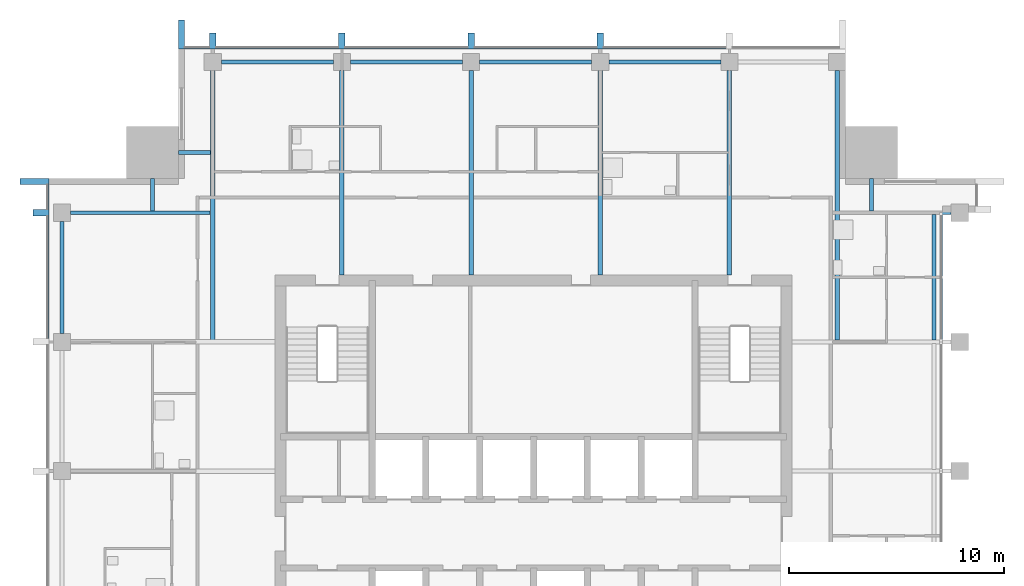
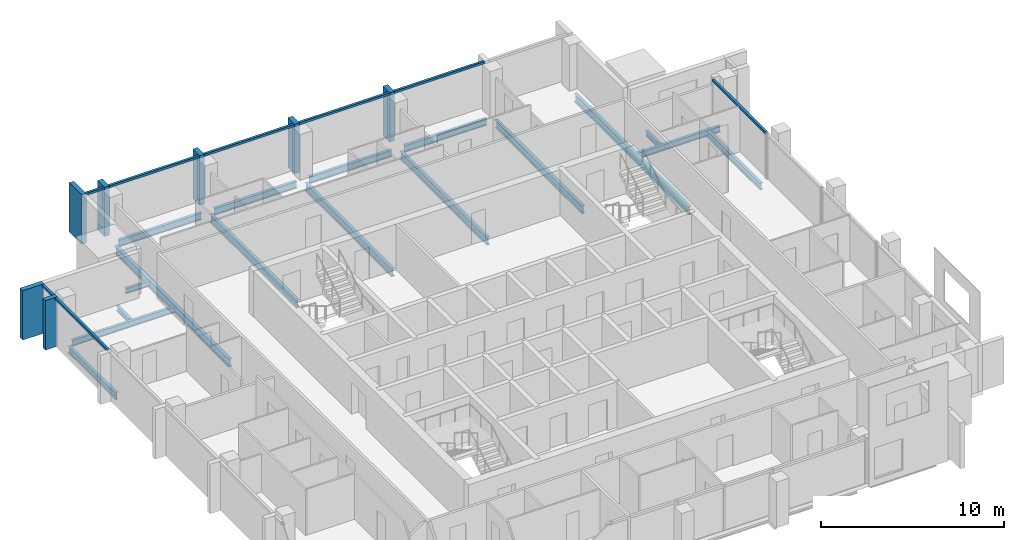
# One storey, part 4 of 13: 17 beams, 15 members, 3 elements without a shape of their own.
"""IFC4 building model written with IfcOpenShell, lengths in metres."""

from ifc_helpers import new_model, si_unit, direction, frame, origin, origin_2d, place, context, subcontext, project, spatial, rectangle, i_section, extrude, material, material_profile, profile_set, type_object, element, aggregate, save


model = new_model("IFC4")

# Units and contexts
model_context = context("Model", 3, precision=1e-05, world=origin(), true_north=direction((0.0, 1.0)))
body_context = subcontext(model_context, "Body", "Model", "MODEL_VIEW")
ifc_project = project(units=[si_unit("LENGTHUNIT", "METRE"), si_unit("AREAUNIT", "SQUARE_METRE"), si_unit("VOLUMEUNIT", "CUBIC_METRE"), si_unit("PLANEANGLEUNIT", "RADIAN"), si_unit("MASSUNIT", "GRAM", prefix="KILO")], contexts=[model_context])

# Site, building, storey
site_placement = place(None, origin())
site = spatial("IfcSite", under=ifc_project, at=site_placement, CompositionType="ELEMENT")
building_placement = place(site_placement, origin())
building = spatial("IfcBuilding", under=site, at=building_placement, Name="Amberfall Residences", CompositionType="ELEMENT")
storey_placement = place(building_placement, frame((0.0, 0.0, 271.89990234375)))
storey = spatial("IfcBuildingStorey", under=building, at=storey_placement, Name="L73", CompositionType="ELEMENT", Elevation=271.89990234375)

# Curtain wall, members
ifc_material_1 = material(Name="Bronze anodised aluminium and glass", Category="aluminium")
curtain_wall_type_1 = type_object("IfcCurtainWallType", Name="Curtain wall CW1 tower unit", PredefinedType="USERDEFINED", material=ifc_material_1)
curtain_wall_1_placement = place(storey_placement, origin())
curtain_wall_1 = element("IfcCurtainWall", 1, at=curtain_wall_1_placement, inside=storey, type_object=curtain_wall_type_1, Name="Curtain wall L73 N N1", ObjectType="UNITISED CURTAIN WALL", PredefinedType="USERDEFINED")
ifc_material_2 = material(Name="Bronze anodised aluminium", Category="aluminium")
ifc_material_profile_1 = material_profile(ifc_material_2, rectangle(XDim=0.14990234375, YDim=0.14990234375, at=origin_2d()), Name="CW1 transom 150 x 150 bronze")
ifc_profile_set_1 = profile_set([ifc_material_profile_1], Name="Bronze anodised aluminium")
member_type_1 = type_object("IfcMemberType", Name="CW1 transom 150 x 150 bronze", PredefinedType="USERDEFINED", material=ifc_profile_set_1)
member_1_placement = place(storey_placement, frame((83.449951171875, 68.074951171875, 2.97509765625), z_axis=(-1.0, 0.0, 0.0), x_axis=(0.0, -1.0, 0.0)))
member_1 = element("IfcMember", 2, at=member_1_placement, type_object=member_type_1, Name="CW1 transom 2.1", ObjectType="TRANSOM", PredefinedType="USERDEFINED", context=body_context, shape_type="SweptSolid", body=[
    extrude(rectangle(XDim=0.14990234375, YDim=0.14990234375, at=origin_2d()), origin(), (0.0, 0.0, 1.0), 5.699951171875),
])
member_2_placement = place(storey_placement, frame((77.449951171875, 68.074951171875, 2.97509765625), z_axis=(-1.0, 0.0, 0.0), x_axis=(0.0, -1.0, 0.0)))
member_2 = element("IfcMember", 3, at=member_2_placement, type_object=member_type_1, Name="CW1 transom 3.1", ObjectType="TRANSOM", PredefinedType="USERDEFINED", context=body_context, shape_type="SweptSolid", body=[
    extrude(rectangle(XDim=0.14990234375, YDim=0.14990234375, at=origin_2d()), origin(), (0.0, 0.0, 1.0), 5.699951171875),
])
member_3_placement = place(storey_placement, frame((71.449951171875, 68.074951171875, 2.97509765625), z_axis=(-1.0, 0.0, 0.0), x_axis=(0.0, -1.0, 0.0)))
member_3 = element("IfcMember", 4, at=member_3_placement, type_object=member_type_1, Name="CW1 transom 4.1", ObjectType="TRANSOM", PredefinedType="USERDEFINED", context=body_context, shape_type="SweptSolid", body=[
    extrude(rectangle(XDim=0.14990234375, YDim=0.14990234375, at=origin_2d()), origin(), (0.0, 0.0, 1.0), 5.699951171875),
])
member_4_placement = place(storey_placement, frame((65.449951171875, 68.074951171875, 2.97509765625), z_axis=(-1.0, 0.0, 0.0), x_axis=(0.0, -1.0, 0.0)))
member_4 = element("IfcMember", 5, at=member_4_placement, type_object=member_type_1, Name="CW1 transom 5.1", ObjectType="TRANSOM", PredefinedType="USERDEFINED", context=body_context, shape_type="SweptSolid", body=[
    extrude(rectangle(XDim=0.14990234375, YDim=0.14990234375, at=origin_2d()), origin(), (0.0, 0.0, 1.0), 5.699951171875),
])
member_5_placement = place(storey_placement, frame((59.449951171875, 68.074951171875, 2.97509765625), z_axis=(-1.0, 0.0, 0.0), x_axis=(0.0, -1.0, 0.0)))
member_5 = element("IfcMember", 6, at=member_5_placement, type_object=member_type_1, Name="CW1 transom 6.1", ObjectType="TRANSOM", PredefinedType="USERDEFINED", context=body_context, shape_type="SweptSolid", body=[
    extrude(rectangle(XDim=0.14990234375, YDim=0.14990234375, at=origin_2d()), origin(), (0.0, 0.0, 1.0), 1.14990234375),
])

curtain_wall_2_placement = place(storey_placement, origin())
curtain_wall_2 = element("IfcCurtainWall", 7, at=curtain_wall_2_placement, inside=storey, type_object=curtain_wall_type_1, Name="Curtain wall L73 W W1", ObjectType="UNITISED CURTAIN WALL", PredefinedType="USERDEFINED")
member_6_placement = place(storey_placement, frame((51.925048828125, 61.699951171875, 2.97509765625), z_axis=(0.0, -1.0, 0.0), x_axis=(1.0, 0.0, 0.0)))
member_6 = element("IfcMember", 8, at=member_6_placement, type_object=member_type_1, Name="CW1 transom 1.1", ObjectType="TRANSOM", PredefinedType="USERDEFINED", context=body_context, shape_type="SweptSolid", body=[
    extrude(rectangle(XDim=0.14990234375, YDim=0.14990234375, at=origin_2d()), origin(), (0.0, 0.0, 1.0), 1.14990234375),
])
member_7_placement = place(storey_placement, frame((51.925048828125, 60.25, 2.97509765625), z_axis=(0.0, -1.0, 0.0), x_axis=(1.0, 0.0, 0.0)))
member_7 = element("IfcMember", 9, at=member_7_placement, type_object=member_type_1, Name="CW1 transom 2.1", ObjectType="TRANSOM", PredefinedType="USERDEFINED", context=body_context, shape_type="SweptSolid", body=[
    extrude(rectangle(XDim=0.14990234375, YDim=0.14990234375, at=origin_2d()), origin(), (0.0, 0.0, 1.0), 5.699951171875),
])

# Curtain wall, member
curtain_wall_type_2 = type_object("IfcCurtainWallType", Name="Curtain wall CW3 sky garden glazing", PredefinedType="USERDEFINED", material=ifc_material_1)
curtain_wall_3_placement = place(storey_placement, origin())
curtain_wall_3 = element("IfcCurtainWall", 10, at=curtain_wall_3_placement, inside=storey, type_object=curtain_wall_type_2, Name="Curtain wall L73 E E5", ObjectType="UNITISED CURTAIN WALL", PredefinedType="USERDEFINED")
ifc_material_profile_2 = material_profile(ifc_material_2, rectangle(XDim=0.14990234375, YDim=0.14990234375, at=origin_2d()), Name="CW3 transom 150 x 150 bronze")
ifc_profile_set_2 = profile_set([ifc_material_profile_2], Name="Bronze anodised aluminium")
member_type_2 = type_object("IfcMemberType", Name="CW3 transom 150 x 150 bronze", PredefinedType="USERDEFINED", material=ifc_profile_set_2)
member_8_placement = place(storey_placement, frame((93.425048828125, 54.5, 2.97509765625), z_axis=(0.0, 1.0, 0.0), x_axis=(-1.0, 0.0, 0.0)))
member_8 = element("IfcMember", 11, at=member_8_placement, type_object=member_type_2, Name="CW3 transom 1.1", ObjectType="TRANSOM", PredefinedType="USERDEFINED", context=body_context, shape_type="SweptSolid", body=[
    extrude(rectangle(XDim=0.14990234375, YDim=0.14990234375, at=origin_2d()), origin(), (0.0, 0.0, 1.0), 5.800048828125),
])
aggregate(curtain_wall_3, [member_8])

# Member
ifc_material_profile_3 = material_profile(ifc_material_2, rectangle(XDim=1.35009765625, YDim=0.300048828125, at=origin_2d()), Name="Corner fin 300 x 1350 bronze")
ifc_profile_set_3 = profile_set([ifc_material_profile_3], Name="Bronze anodised aluminium")
member_type_3 = type_object("IfcMemberType", Name="Corner fin 300 x 1350 bronze", PredefinedType="MULLION", material=ifc_profile_set_3)
member_9_placement = place(storey_placement, frame((58.14990234375, 68.675048828125, -0.25), z_axis=(0.0, 0.0, 1.0), x_axis=(0.0, -1.0, 0.0)))
member_9 = element("IfcMember", 12, at=member_9_placement, type_object=member_type_3, Name="CW FIN 7", PredefinedType="MULLION", context=body_context, shape_type="SweptSolid", body=[
    extrude(rectangle(XDim=1.35009765625, YDim=0.300048828125, at=origin_2d()), origin(), (0.0, 0.0, 1.0), 3.300048828125),
])

member_10_placement = place(storey_placement, frame((51.324951171875, 61.85009765625, -0.25), z_axis=(0.0, 0.0, 1.0), x_axis=(1.0, 0.0, 0.0)))
member_10 = element("IfcMember", 13, at=member_10_placement, type_object=member_type_3, Name="CW FIN 1", PredefinedType="MULLION", context=body_context, shape_type="SweptSolid", body=[
    extrude(rectangle(XDim=1.35009765625, YDim=0.300048828125, at=origin_2d()), origin(), (0.0, 0.0, 1.0), 3.300048828125),
])

# Beams
ifc_material_3 = material(Name="Steel S355", Category="steel")
ifc_material_profile_4 = material_profile(ifc_material_3, i_section(OverallWidth=0.18994140625, OverallDepth=0.453369140625, WebThickness=0.008544921875, FlangeThickness=0.0126953125, FilletRadius=0.01025390625, at=origin_2d()), Name="UB 457x191x67")
ifc_profile_set_4 = profile_set([ifc_material_profile_4], Name="Steel S355")
beam_type_1 = type_object("IfcBeamType", Name="Edge beam UB 457x191x67", PredefinedType="SPANDREL", material=ifc_profile_set_4)
beam_1_placement = place(storey_placement, frame((93.10009765625, 54.47998046875, -0.4765625), z_axis=(0.0, 1.0, 0.0), x_axis=(-1.0, 0.0, 0.0)))
element("IfcBeam", 14, at=beam_1_placement, inside=storey, type_object=beam_type_1, Name="Edge beam B1 L73 16", PredefinedType="SPANDREL", context=body_context, shape_type="SweptSolid", body=[
    extrude(i_section(OverallWidth=0.18994140625, OverallDepth=0.453369140625, WebThickness=0.008544921875, FlangeThickness=0.0126953125, FilletRadius=0.01025390625, at=origin_2d()), origin(), (0.0, 0.0, 1.0), 5.840087890625),
])
for number, where, z_axis, x_axis, name in (
    (15, (60.0, 67.39990234375, -0.4765625), (1.0, 0.0, 0.0), (0.0, 1.0, 0.0), "Edge beam B1 L73 23"),
    (16, (66.0, 67.39990234375, -0.4765625), (1.0, 0.0, 0.0), (0.0, 1.0, 0.0), "Edge beam B1 L73 24"),
    (17, (72.0, 67.39990234375, -0.4765625), (1.0, 0.0, 0.0), (0.0, 1.0, 0.0), "Edge beam B1 L73 25"),
    (18, (78.0, 67.39990234375, -0.4765625), (1.0, 0.0, 0.0), (0.0, 1.0, 0.0), "Edge beam B1 L73 26"),
    (19, (52.60009765625, 54.800048828125, -0.4765625), (0.0, 1.0, 0.0), (-1.0, 0.0, 0.0), "Edge beam B1 L73 38"),
):
    element("IfcBeam", number, at=place(storey_placement, frame(where, z_axis=z_axis, x_axis=x_axis)), inside=storey, type_object=beam_type_1, Name=name, PredefinedType="SPANDREL", context=body_context, shape_type="SweptSolid", body=[
        extrude(i_section(OverallWidth=0.18994140625, OverallDepth=0.453369140625, WebThickness=0.008544921875, FlangeThickness=0.0126953125, FilletRadius=0.01025390625, at=origin_2d()), origin(), (0.0, 0.0, 1.0), 5.199951171875),
    ])

# Member
ifc_material_profile_5 = material_profile(ifc_material_2, rectangle(XDim=0.75, YDim=0.300048828125, at=origin_2d()), Name="Fin 300 x 750 bronze")
ifc_profile_set_5 = profile_set([ifc_material_profile_5], Name="Bronze anodised aluminium")
member_type_4 = type_object("IfcMemberType", Name="Fin 300 x 750 bronze", PredefinedType="MULLION", material=ifc_profile_set_5)
member_11_placement = place(storey_placement, frame((77.60009765625, 68.375, -0.25), z_axis=(0.0, 0.0, 1.0), x_axis=(0.0, -1.0, 0.0)))
member_11 = element("IfcMember", 20, at=member_11_placement, type_object=member_type_4, Name="CW FIN 3", PredefinedType="MULLION", context=body_context, shape_type="SweptSolid", body=[
    extrude(rectangle(XDim=0.75, YDim=0.300048828125, at=origin_2d()), origin(), (0.0, 0.0, 1.0), 3.300048828125),
])

member_12_placement = place(storey_placement, frame((71.60009765625, 68.375, -0.25), z_axis=(0.0, 0.0, 1.0), x_axis=(0.0, -1.0, 0.0)))
member_12 = element("IfcMember", 21, at=member_12_placement, type_object=member_type_4, Name="CW FIN 4", PredefinedType="MULLION", context=body_context, shape_type="SweptSolid", body=[
    extrude(rectangle(XDim=0.75, YDim=0.300048828125, at=origin_2d()), origin(), (0.0, 0.0, 1.0), 3.300048828125),
])

member_13_placement = place(storey_placement, frame((65.60009765625, 68.375, -0.25), z_axis=(0.0, 0.0, 1.0), x_axis=(0.0, -1.0, 0.0)))
member_13 = element("IfcMember", 22, at=member_13_placement, type_object=member_type_4, Name="CW FIN 5", PredefinedType="MULLION", context=body_context, shape_type="SweptSolid", body=[
    extrude(rectangle(XDim=0.75, YDim=0.300048828125, at=origin_2d()), origin(), (0.0, 0.0, 1.0), 3.300048828125),
])

member_14_placement = place(storey_placement, frame((59.60009765625, 68.375, -0.25), z_axis=(0.0, 0.0, 1.0), x_axis=(0.0, -1.0, 0.0)))
member_14 = element("IfcMember", 23, at=member_14_placement, type_object=member_type_4, Name="CW FIN 6", PredefinedType="MULLION", context=body_context, shape_type="SweptSolid", body=[
    extrude(rectangle(XDim=0.75, YDim=0.300048828125, at=origin_2d()), origin(), (0.0, 0.0, 1.0), 3.300048828125),
])

aggregate(curtain_wall_1, [member_11, member_12, member_13, member_14, member_9, member_1, member_2, member_3, member_4, member_5])

member_15_placement = place(storey_placement, frame((51.625, 60.39990234375, -0.25), z_axis=(0.0, 0.0, 1.0), x_axis=(1.0, 0.0, 0.0)))
member_15 = element("IfcMember", 24, at=member_15_placement, type_object=member_type_4, Name="CW FIN 2", PredefinedType="MULLION", context=body_context, shape_type="SweptSolid", body=[
    extrude(rectangle(XDim=0.75, YDim=0.300048828125, at=origin_2d()), origin(), (0.0, 0.0, 1.0), 3.300048828125),
])

aggregate(curtain_wall_2, [member_10, member_15, member_6, member_7])

# Beams
ifc_material_profile_6 = material_profile(ifc_material_3, i_section(OverallWidth=0.177734375, OverallDepth=0.402587890625, WebThickness=0.0078125, FlangeThickness=0.010986328125, FilletRadius=0.01025390625, at=origin_2d()), Name="UB 406x178x54")
ifc_profile_set_6 = profile_set([ifc_material_profile_6], Name="Steel S355")
beam_type_2 = type_object("IfcBeamType", Name="Floor girder UB 406x178x54", PredefinedType="BEAM", material=ifc_profile_set_6)
beam_2_placement = place(storey_placement, frame((93.89990234375, 60.39990234375, -0.451171875), z_axis=(-1.0, 0.0, 0.0), x_axis=(0.0, -1.0, 0.0)))
element("IfcBeam", 25, at=beam_2_placement, inside=storey, type_object=beam_type_2, Name="Floor girder B4 L73 22", PredefinedType="BEAM", context=body_context, shape_type="SweptSolid", body=[
    extrude(i_section(OverallWidth=0.177734375, OverallDepth=0.402587890625, WebThickness=0.0078125, FlangeThickness=0.010986328125, FilletRadius=0.01025390625, at=origin_2d()), origin(), (0.0, 0.0, 1.0), 5.179931640625),
])
beam_3_placement = place(storey_placement, frame((53.0, 60.39990234375, -0.451171875), z_axis=(1.0, 0.0, 0.0), x_axis=(0.0, 1.0, 0.0)))
element("IfcBeam", 26, at=beam_3_placement, inside=storey, type_object=beam_type_2, Name="Floor girder B4 L73 44", PredefinedType="BEAM", context=body_context, shape_type="SweptSolid", body=[
    extrude(i_section(OverallWidth=0.177734375, OverallDepth=0.402587890625, WebThickness=0.0078125, FlangeThickness=0.010986328125, FilletRadius=0.01025390625, at=origin_2d()), origin(), (0.0, 0.0, 1.0), 6.47998046875),
])
ifc_material_profile_7 = material_profile(ifc_material_3, i_section(OverallWidth=0.210693359375, OverallDepth=0.53955078125, WebThickness=0.01171875, FlangeThickness=0.018798828125, FilletRadius=0.0126953125, at=origin_2d()), Name="UB 533x210x109")
ifc_profile_set_7 = profile_set([ifc_material_profile_7], Name="Steel S355")
beam_type_3 = type_object("IfcBeamType", Name="Floor girder UB 533x210x109", PredefinedType="BEAM", material=ifc_profile_set_7)
beam_4_placement = place(storey_placement, frame((59.60009765625, 67.0, -0.51953125), z_axis=(0.0, -1.0, 0.0), x_axis=(1.0, 0.0, 0.0)))
element("IfcBeam", 27, at=beam_4_placement, inside=storey, type_object=beam_type_3, Name="Floor girder B2 L73 28", PredefinedType="BEAM", context=body_context, shape_type="SweptSolid", body=[
    extrude(i_section(OverallWidth=0.210693359375, OverallDepth=0.53955078125, WebThickness=0.01171875, FlangeThickness=0.018798828125, FilletRadius=0.0126953125, at=origin_2d()), origin(), (0.0, 0.0, 1.0), 12.50048828125),
])
beam_5_placement = place(storey_placement, frame((88.60009765625, 67.0, -0.51953125), z_axis=(0.0, -1.0, 0.0), x_axis=(1.0, 0.0, 0.0)))
element("IfcBeam", 28, at=beam_5_placement, inside=storey, type_object=beam_type_3, Name="Floor girder B2 L73 33", PredefinedType="BEAM", context=body_context, shape_type="SweptSolid", body=[
    extrude(i_section(OverallWidth=0.210693359375, OverallDepth=0.53955078125, WebThickness=0.01171875, FlangeThickness=0.018798828125, FilletRadius=0.0126953125, at=origin_2d()), origin(), (0.0, 0.0, 1.0), 12.509521484375),
])
ifc_material_profile_8 = material_profile(ifc_material_3, i_section(OverallWidth=0.209228515625, OverallDepth=0.533203125, WebThickness=0.010009765625, FlangeThickness=0.015625, FilletRadius=0.0126953125, at=origin_2d()), Name="UB 533x210x92")
ifc_profile_set_8 = profile_set([ifc_material_profile_8], Name="Steel S355")
beam_type_4 = type_object("IfcBeamType", Name="Floor girder UB 533x210x92", PredefinedType="BEAM", material=ifc_profile_set_8)
for number, where, z_axis, x_axis, name in (
    (29, (65.60009765625, 67.0, -0.516357421875), (0.0, -1.0, 0.0), (1.0, 0.0, 0.0), "Floor girder B3 L73 29"),
    (30, (71.60009765625, 67.0, -0.516357421875), (0.0, -1.0, 0.0), (1.0, 0.0, 0.0), "Floor girder B3 L73 30"),
    (31, (77.60009765625, 67.0, -0.516357421875), (0.0, -1.0, 0.0), (1.0, 0.0, 0.0), "Floor girder B3 L73 31"),
    (32, (83.60009765625, 67.0, -0.516357421875), (0.0, -1.0, 0.0), (1.0, 0.0, 0.0), "Floor girder B3 L73 32"),
):
    element("IfcBeam", number, at=place(storey_placement, frame(where, z_axis=z_axis, x_axis=x_axis)), inside=storey, type_object=beam_type_4, Name=name, PredefinedType="BEAM", context=body_context, shape_type="SweptSolid", body=[
        extrude(i_section(OverallWidth=0.209228515625, OverallDepth=0.533203125, WebThickness=0.010009765625, FlangeThickness=0.015625, FilletRadius=0.0126953125, at=origin_2d()), origin(), (0.0, 0.0, 1.0), 9.5),
    ])
ifc_material_profile_9 = material_profile(ifc_material_3, i_section(OverallWidth=0.171142578125, OverallDepth=0.351318359375, WebThickness=0.007080078125, FlangeThickness=0.009765625, FilletRadius=0.01025390625, at=origin_2d()), Name="UB 356x171x45")
ifc_profile_set_9 = profile_set([ifc_material_profile_9], Name="Steel S355")
beam_type_5 = type_object("IfcBeamType", Name="Link beam UB 356x171x45", PredefinedType="BEAM", material=ifc_profile_set_9)
beam_6_placement = place(storey_placement, frame((90.199951171875, 62.0, -0.425537109375), z_axis=(0.0, -1.0, 0.0), x_axis=(1.0, 0.0, 0.0)))
element("IfcBeam", 33, at=beam_6_placement, inside=storey, type_object=beam_type_5, Name="Link beam B7 L73 46", PredefinedType="BEAM", context=body_context, shape_type="SweptSolid", body=[
    extrude(i_section(OverallWidth=0.171142578125, OverallDepth=0.351318359375, WebThickness=0.007080078125, FlangeThickness=0.009765625, FilletRadius=0.01025390625, at=origin_2d()), origin(), (0.0, 0.0, 1.0), 1.52099609375),
])
beam_7_placement = place(storey_placement, frame((58.0, 63.199951171875, -0.425537109375), z_axis=(1.0, 0.0, 0.0), x_axis=(0.0, 1.0, 0.0)))
element("IfcBeam", 34, at=beam_7_placement, inside=storey, type_object=beam_type_5, Name="Link beam B7 L73 47", PredefinedType="BEAM", context=body_context, shape_type="SweptSolid", body=[
    extrude(i_section(OverallWidth=0.171142578125, OverallDepth=0.351318359375, WebThickness=0.007080078125, FlangeThickness=0.009765625, FilletRadius=0.01025390625, at=origin_2d()), origin(), (0.0, 0.0, 1.0), 1.504638671875),
])
beam_8_placement = place(storey_placement, frame((56.800048828125, 62.0, -0.425537109375), z_axis=(0.0, -1.0, 0.0), x_axis=(1.0, 0.0, 0.0)))
element("IfcBeam", 35, at=beam_8_placement, inside=storey, type_object=beam_type_5, Name="Link beam B7 L73 48", PredefinedType="BEAM", context=body_context, shape_type="SweptSolid", body=[
    extrude(i_section(OverallWidth=0.171142578125, OverallDepth=0.351318359375, WebThickness=0.007080078125, FlangeThickness=0.009765625, FilletRadius=0.01025390625, at=origin_2d()), origin(), (0.0, 0.0, 1.0), 1.52099609375),
])

save(model, "model.ifc")
